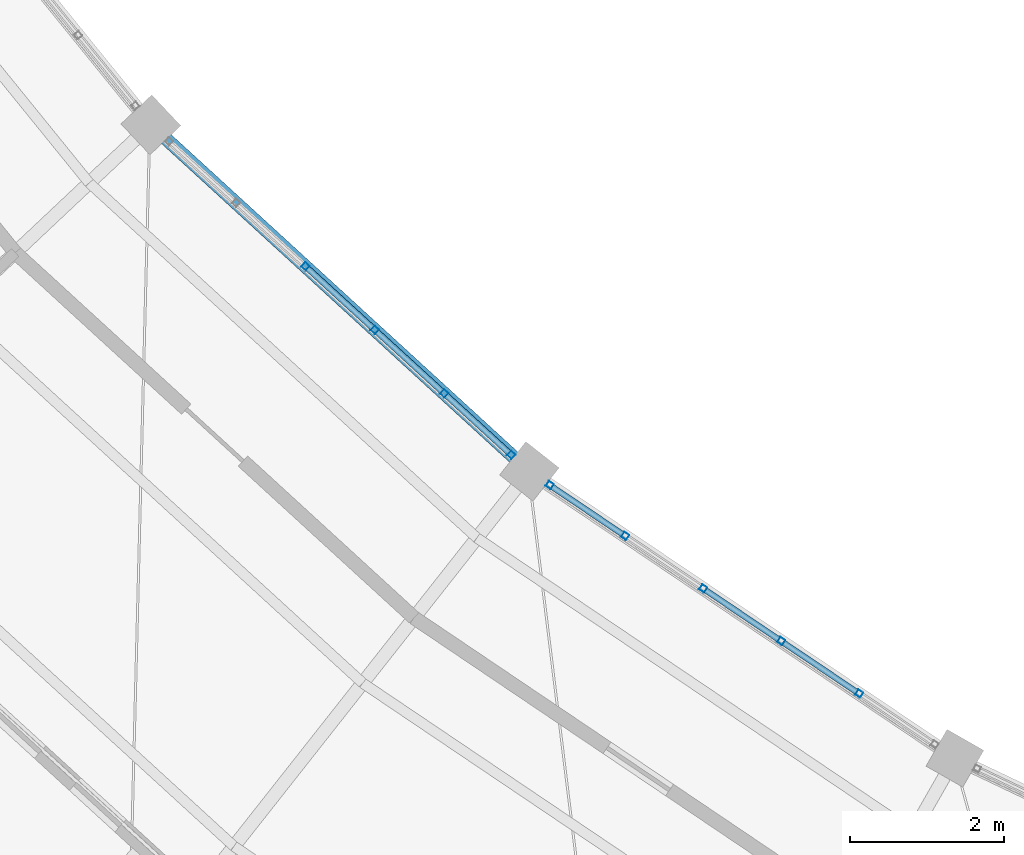
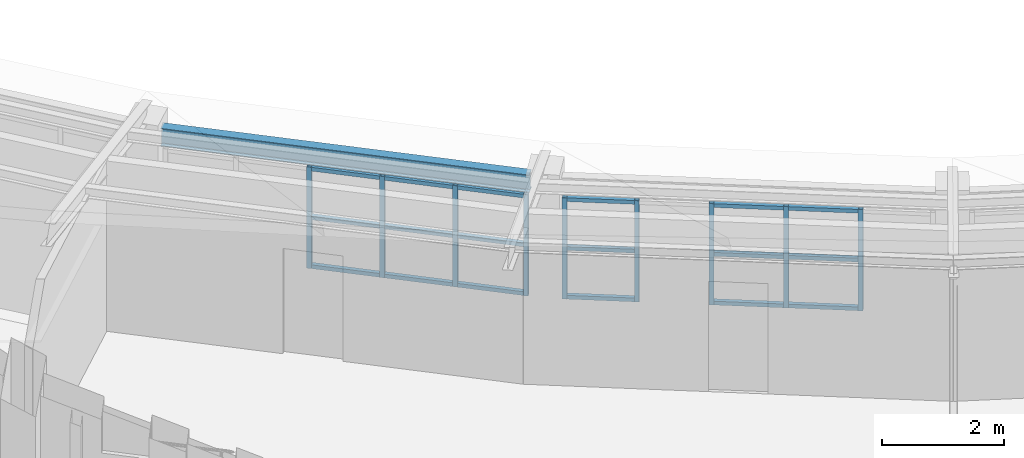
# One storey, part 17 of 149: 27 members, 1 beam, 2 elements without a shape of their own.
"""IFC4 building model written with IfcOpenShell, lengths in metres."""

import ifcopenshell
import ifcopenshell.guid

model = None  # the IFC model being written
_history = None  # IfcOwnerHistory: only IFC2X3 demands one
_inside = {}  # id of a spatial element -> (the spatial element, [elements in it])
_under = {}  # id of a project, library or spatial element -> (it, [spatial elements below it])
_declared = {}  # id of a project -> (the project, [libraries it declares])
_typed = {}  # id of a type object -> (the type object, [elements of that type])
_made_of = {}  # id of a material, layer set ... -> (it, [elements and type objects made of it])


def new_model(schema):
    """Start an empty IFC model of exactly this schema.

    Asked for "IFC4X3", IfcOpenShell would pick the latest addendum, in which some entities
    have other attributes; the version numbers below select the first issue.
    IFC2X3 requires an IfcOwnerHistory on every rooted entity: one is made here for all.
    """
    global model, _history
    if schema == "IFC4X3":
        model = ifcopenshell.file(schema_version=(4, 3, 0, 0))
    else:
        model = ifcopenshell.file(schema=schema)
    _inside.clear()
    _under.clear()
    _declared.clear()
    _typed.clear()
    _made_of.clear()
    _history = None
    if model.schema == "IFC2X3":
        org = make("IfcOrganization", Name="unknown")
        user = make(
            "IfcPersonAndOrganization",
            ThePerson=make("IfcPerson", FamilyName="unknown"),
            TheOrganization=org,
        )
        app = make(
            "IfcApplication",
            ApplicationDeveloper=org,
            Version="unknown",
            ApplicationFullName="unknown",
            ApplicationIdentifier="unknown",
        )
        _history = make(
            "IfcOwnerHistory",
            OwningUser=user,
            OwningApplication=app,
            ChangeAction="ADDED",
            CreationDate=0,
        )
    return model


def make(cls, **values):
    """One entity of the class cls with the attributes given. An attribute that is None is left unset."""
    return model.create_entity(
        cls, **{name: value for name, value in values.items() if value is not None}
    )


def rooted(cls, **values):
    """An entity with a GlobalId (a new one), such as an element, a storey or a relation."""
    return make(cls, GlobalId=ifcopenshell.guid.new(), OwnerHistory=_history, **values)


def si_unit(unit_type, name, prefix=None):
    """IfcSIUnit, for example si_unit("LENGTHUNIT", "METRE", prefix="MILLI")."""
    return make("IfcSIUnit", UnitType=unit_type, Prefix=prefix, Name=name)


def assignment(units):
    """IfcUnitAssignment: the units of a project."""
    return None if units is None else make("IfcUnitAssignment", Units=units)


def point(xyz):
    """IfcCartesianPoint."""
    return None if xyz is None else make("IfcCartesianPoint", Coordinates=xyz)


def direction(xyz):
    """IfcDirection."""
    return None if xyz is None else make("IfcDirection", DirectionRatios=xyz)


def frame(location, z_axis=None, x_axis=None):
    """IfcAxis2Placement3D, a coordinate frame: its origin and axes. An axis left out is left unset."""
    return make(
        "IfcAxis2Placement3D",
        Location=point(location),
        Axis=direction(z_axis),
        RefDirection=direction(x_axis),
    )


def frame_2d(location, x_axis=None):
    """IfcAxis2Placement2D, a coordinate frame in the plane: its origin and x axis."""
    return make(
        "IfcAxis2Placement2D", Location=point(location), RefDirection=direction(x_axis)
    )


def origin():
    """The frame at (0, 0, 0) with its axes left unset."""
    return frame((0.0, 0.0, 0.0))


def origin_2d():
    """The frame at (0, 0) in the plane with its x axis left unset."""
    return frame_2d((0.0, 0.0))


def place(relative_to, where):
    """IfcLocalPlacement: puts the frame where relative to a parent placement (None: the world)."""
    return make(
        "IfcLocalPlacement", PlacementRelTo=relative_to, RelativePlacement=where
    )


def context(
    kind, dimensions, precision=None, world=None, true_north=None, identifier=None
):
    """IfcGeometricRepresentationContext, for example the 3D "Model" context."""
    return make(
        "IfcGeometricRepresentationContext",
        ContextIdentifier=identifier,
        ContextType=kind,
        CoordinateSpaceDimension=dimensions,
        Precision=precision,
        WorldCoordinateSystem=world,
        TrueNorth=true_north,
    )


def subcontext(parent, identifier, kind, view, scale=None):
    """IfcGeometricRepresentationSubContext, for example "Body" below "Model"."""
    return make(
        "IfcGeometricRepresentationSubContext",
        ContextIdentifier=identifier,
        ContextType=kind,
        ParentContext=parent,
        TargetScale=scale,
        TargetView=view,
    )


def project(units=None, contexts=None):
    """IfcProject with its units and contexts."""
    return rooted(
        "IfcProject",
        Name="project",
        RepresentationContexts=contexts,
        UnitsInContext=assignment(units),
    )


def spatial(cls, under=None, at=None, **own):
    """A site, building, storey or space (cls), placed at a placement, below another one or the project."""
    s = rooted(cls, ObjectPlacement=at, **own)
    if under is not None:
        _under.setdefault(under.id(), (under, []))[1].append(s)
    return s


def profile(cls, at=None, kind="AREA", **sizes):
    """A parametric profile (cls). Its sizes go by their IFC names, for example OverallWidth=200.0."""
    return make(cls, ProfileType=kind, Position=at, **sizes)


def hollow_rectangle(**sizes):
    """IfcRectangleHollowProfileDef."""
    return profile("IfcRectangleHollowProfileDef", **sizes)


def i_section(**sizes):
    """IfcIShapeProfileDef."""
    return profile("IfcIShapeProfileDef", **sizes)


def extrude(swept, where, along, depth):
    """IfcExtrudedAreaSolid: the profile swept, set in the frame where, extruded along a direction by depth."""
    return make(
        "IfcExtrudedAreaSolid",
        SweptArea=swept,
        Position=where,
        ExtrudedDirection=direction(along),
        Depth=depth,
    )


def shape(context_of_items, identifier, shape_type, items):
    """IfcShapeRepresentation: the items that make up one representation, for example the "Body"."""
    return make(
        "IfcShapeRepresentation",
        ContextOfItems=context_of_items,
        RepresentationIdentifier=identifier,
        RepresentationType=shape_type,
        Items=items,
    )


def material(Name=None, Category=None):
    """IfcMaterial."""
    return make("IfcMaterial", Name=Name, Category=Category)


def material_profile(
    of_material, cross_section, Name=None, Category=None, Priority=None
):
    """IfcMaterialProfile: a cross section and its material."""
    return make(
        "IfcMaterialProfile",
        Name=Name,
        Material=of_material,
        Profile=cross_section,
        Priority=Priority,
        Category=Category,
    )


def profile_set(profiles, Name=None, composite=None):
    """IfcMaterialProfileSet."""
    return make(
        "IfcMaterialProfileSet",
        Name=Name,
        MaterialProfiles=profiles,
        CompositeProfile=composite,
    )


def made_of(thing, what):
    """Note that an element or type object is made of a material, layer set ...; save() writes the relation."""
    if what is not None:
        _made_of.setdefault(what.id(), (what, []))[1].append(thing)
    return thing


def type_object(cls, material=None, **own):
    """A type object (cls), such as IfcWallType, which elements share."""
    return made_of(rooted(cls, **own), material)


def element(
    cls,
    number,
    at=None,
    inside=None,
    cuts=None,
    type_object=None,
    material=None,
    context=None,
    identifier="Body",
    shape_type=None,
    held_by="IfcProductDefinitionShape",
    body=None,
    shapes=None,
    **own,
):
    """One element of the class cls, such as IfcWall. Its Tag is "e" and its number.

    at: its placement. inside: the storey or other place that contains it. cuts: it is an
    opening in that element (IfcRelVoidsElement). A single representation is given by context,
    identifier, shape_type and body (its items); several are given by shapes. held_by: the class
    of the entity that holds the representations. save() writes the other relations.
    """
    e = rooted(cls, Tag="e%d" % number, ObjectPlacement=at, **own)
    if body is not None:
        shapes = [shape(context, identifier, shape_type, body)]
    if shapes is not None:
        e.Representation = make(held_by, Representations=shapes)
    if inside is not None:
        _inside.setdefault(inside.id(), (inside, []))[1].append(e)
    if cuts is not None:
        rooted(
            "IfcRelVoidsElement", RelatingBuildingElement=cuts, RelatedOpeningElement=e
        )
    if type_object is not None:
        _typed.setdefault(type_object.id(), (type_object, []))[1].append(e)
    return made_of(e, material)


def aggregate(whole, parts):
    """IfcRelAggregates: a whole, such as a stair, and the parts it consists of."""
    return rooted("IfcRelAggregates", RelatingObject=whole, RelatedObjects=parts)


def save(model, path):
    """Write the relations noted so far, then the file.

    IfcRelAggregates (storeys below a building ...), IfcRelContainedInSpatialStructure (elements
    in a storey), IfcRelDefinesByType, IfcRelAssociatesMaterial and IfcRelDeclares: one each for
    every whole, place, type object, material and project.
    """
    for whole, parts in _under.values():
        aggregate(whole, parts)
    for where, things in _inside.values():
        rooted(
            "IfcRelContainedInSpatialStructure",
            RelatedElements=things,
            RelatingStructure=where,
        )
    for kind, things in _typed.values():
        rooted("IfcRelDefinesByType", RelatedObjects=things, RelatingType=kind)
    for what, things in _made_of.values():
        rooted("IfcRelAssociatesMaterial", RelatedObjects=things, RelatingMaterial=what)
    for by, libraries in _declared.values():
        rooted("IfcRelDeclares", RelatingContext=by, RelatedDefinitions=libraries)
    model.write(path)


model = new_model("IFC4")

# Units and contexts
model_context = context("Model", 3, precision=1e-05, world=origin(), true_north=direction((0.0, 1.0)))
body_context = subcontext(model_context, "Body", "Model", "MODEL_VIEW")
ifc_project = project(units=[si_unit("LENGTHUNIT", "METRE"), si_unit("AREAUNIT", "SQUARE_METRE"), si_unit("VOLUMEUNIT", "CUBIC_METRE"), si_unit("PLANEANGLEUNIT", "RADIAN"), si_unit("MASSUNIT", "GRAM", prefix="KILO")], contexts=[model_context])

# Site, building, storey
site_placement = place(None, origin())
site = spatial("IfcSite", under=ifc_project, at=site_placement, CompositionType="ELEMENT")
building_placement = place(site_placement, origin())
building = spatial("IfcBuilding", under=site, at=building_placement, Name="Celadon Cloister-Ring School", CompositionType="ELEMENT")
storey_placement = place(building_placement, frame((0.0, 0.0, 12.5)))
storey = spatial("IfcBuildingStorey", under=building, at=storey_placement, Name="L03", CompositionType="ELEMENT", Elevation=12.5)

# Curtain wall, members
ifc_material_1 = material(Name="Aluminium EN AW-6063 T6", Category="aluminium")
curtain_wall_type = type_object("IfcCurtainWallType", Name="CW-02", PredefinedType="USERDEFINED", material=ifc_material_1)
curtain_wall_1_placement = place(storey_placement, origin())
curtain_wall_1 = element("IfcCurtainWall", 1, at=curtain_wall_1_placement, inside=storey, type_object=curtain_wall_type, Name="Curtain Wall 0056", ObjectType="CURTAIN WALL", PredefinedType="USERDEFINED")
ifc_material_2 = material(Name="Aluminium EN AW-6063 T6", Category="aluminium")
ifc_material_profile_1 = material_profile(ifc_material_2, hollow_rectangle(XDim=0.080078125, YDim=0.080078125, WallThickness=0.00390625, at=origin_2d()), Name="RHS80X80X4")
ifc_profile_set_1 = profile_set([ifc_material_profile_1], Name="Aluminium EN AW-6063 T6")
member_type_1 = type_object("IfcMemberType", Name="CM-03", PredefinedType="MULLION", material=ifc_profile_set_1)
member_1_placement = place(storey_placement, frame((56.242919921875, 26.315673828125, 0.0), z_axis=(0.0, 0.0, 1.0), x_axis=(0.675405823267, 0.737446251531, 0.0)))
member_1 = element("IfcMember", 2, at=member_1_placement, type_object=member_type_1, Name="CW-02 mullion 3", PredefinedType="MULLION", context=body_context, shape_type="SweptSolid", body=[
    extrude(hollow_rectangle(XDim=0.080078125, YDim=0.080078125, WallThickness=0.00390625, at=origin_2d()), origin(), (0.0, 0.0, 1.0), 2.02001953125),
])
member_2_placement = place(storey_placement, frame((57.14404296875, 25.490478515625, 0.0), z_axis=(0.0, 0.0, 1.0), x_axis=(0.675405823267, 0.737446251531, 0.0)))
member_2 = element("IfcMember", 3, at=member_2_placement, type_object=member_type_1, Name="CW-02 mullion 4", PredefinedType="MULLION", context=body_context, shape_type="SweptSolid", body=[
    extrude(hollow_rectangle(XDim=0.080078125, YDim=0.080078125, WallThickness=0.00390625, at=origin_2d()), origin(), (0.0, 0.0, 1.0), 2.02001953125),
])
member_3_placement = place(storey_placement, frame((58.044921875, 24.665283203125, 0.0), z_axis=(0.0, 0.0, 1.0), x_axis=(0.675405823267, 0.737446251531, 0.0)))
member_3 = element("IfcMember", 4, at=member_3_placement, type_object=member_type_1, Name="CW-02 mullion 5", PredefinedType="MULLION", context=body_context, shape_type="SweptSolid", body=[
    extrude(hollow_rectangle(XDim=0.080078125, YDim=0.080078125, WallThickness=0.00390625, at=origin_2d()), origin(), (0.0, 0.0, 1.0), 2.02001953125),
])
member_4_placement = place(storey_placement, frame((58.91650390625, 23.866943359375, 0.0), z_axis=(0.0, 0.0, 1.0), x_axis=(0.675405823267, 0.737446251531, 0.0)))
member_4 = element("IfcMember", 5, at=member_4_placement, type_object=member_type_1, Name="CW-02 mullion 6", PredefinedType="MULLION", context=body_context, shape_type="SweptSolid", body=[
    extrude(hollow_rectangle(XDim=0.080078125, YDim=0.080078125, WallThickness=0.00390625, at=origin_2d()), origin(), (0.0, 0.0, 1.0), 2.02001953125),
])

curtain_wall_2_placement = place(storey_placement, origin())
curtain_wall_2 = element("IfcCurtainWall", 6, at=curtain_wall_2_placement, inside=storey, type_object=curtain_wall_type, Name="Curtain Wall 0057", ObjectType="CURTAIN WALL", PredefinedType="USERDEFINED")
member_5_placement = place(storey_placement, frame((59.416259765625, 23.4736328125, 0.0), z_axis=(0.0, 0.0, 1.0), x_axis=(0.558848567753, 0.829269725916, 0.0)))
member_5 = element("IfcMember", 7, at=member_5_placement, type_object=member_type_1, Name="CW-02 mullion 1", PredefinedType="MULLION", context=body_context, shape_type="SweptSolid", body=[
    extrude(hollow_rectangle(XDim=0.080078125, YDim=0.080078125, WallThickness=0.00390625, at=origin_2d()), origin(), (0.0, 0.0, 1.0), 2.02001953125),
])
member_6_placement = place(storey_placement, frame((60.396240234375, 22.813232421875, 0.0), z_axis=(0.0, 0.0, 1.0), x_axis=(0.558848567753, 0.829269725916, 0.0)))
member_6 = element("IfcMember", 8, at=member_6_placement, type_object=member_type_1, Name="CW-02 mullion 2", PredefinedType="MULLION", context=body_context, shape_type="SweptSolid", body=[
    extrude(hollow_rectangle(XDim=0.080078125, YDim=0.080078125, WallThickness=0.00390625, at=origin_2d()), origin(), (0.0, 0.0, 1.0), 2.02001953125),
])
member_7_placement = place(storey_placement, frame((61.409423828125, 22.13037109375, 0.0), z_axis=(0.0, 0.0, 1.0), x_axis=(0.558848567753, 0.829269725916, 0.0)))
member_7 = element("IfcMember", 9, at=member_7_placement, type_object=member_type_1, Name="CW-02 mullion 3", PredefinedType="MULLION", context=body_context, shape_type="SweptSolid", body=[
    extrude(hollow_rectangle(XDim=0.080078125, YDim=0.080078125, WallThickness=0.00390625, at=origin_2d()), origin(), (0.0, 0.0, 1.0), 2.02001953125),
])
member_8_placement = place(storey_placement, frame((62.422607421875, 21.447509765625, 0.0), z_axis=(0.0, 0.0, 1.0), x_axis=(0.558848567753, 0.829269725916, 0.0)))
member_8 = element("IfcMember", 10, at=member_8_placement, type_object=member_type_1, Name="CW-02 mullion 4", PredefinedType="MULLION", context=body_context, shape_type="SweptSolid", body=[
    extrude(hollow_rectangle(XDim=0.080078125, YDim=0.080078125, WallThickness=0.00390625, at=origin_2d()), origin(), (0.0, 0.0, 1.0), 2.02001953125),
])
member_9_placement = place(storey_placement, frame((63.435791015625, 20.764892578125, 0.0), z_axis=(0.0, 0.0, 1.0), x_axis=(0.558848567753, 0.829269725916, 0.0)))
member_9 = element("IfcMember", 11, at=member_9_placement, type_object=member_type_1, Name="CW-02 mullion 5", PredefinedType="MULLION", context=body_context, shape_type="SweptSolid", body=[
    extrude(hollow_rectangle(XDim=0.080078125, YDim=0.080078125, WallThickness=0.00390625, at=origin_2d()), origin(), (0.0, 0.0, 1.0), 2.02001953125),
])

# Member
ifc_material_3 = material(Name="Aluminium EN AW-6063 T6", Category="aluminium")
ifc_material_profile_2 = material_profile(ifc_material_3, hollow_rectangle(XDim=0.074951171875, YDim=0.074951171875, WallThickness=0.00390625, at=origin_2d()), Name="RHS75X75X4")
ifc_profile_set_2 = profile_set([ifc_material_profile_2], Name="Aluminium EN AW-6063 T6")
member_type_2 = type_object("IfcMemberType", Name="CTM-03", PredefinedType="USERDEFINED", material=ifc_profile_set_2)
member_10_placement = place(storey_placement, frame((56.2724609375, 26.28857421875, 0.03759765625), z_axis=(0.737429207639, -0.67542443228, 0.0), x_axis=(0.67542443228, 0.737429207639, 0.0)))
member_10 = element("IfcMember", 12, at=member_10_placement, type_object=member_type_2, Name="CW-02 transom 3.1", ObjectType="TRANSOM", PredefinedType="USERDEFINED", context=body_context, shape_type="SweptSolid", body=[
    extrude(hollow_rectangle(XDim=0.074951171875, YDim=0.074951171875, WallThickness=0.00390625, at=origin_2d()), origin(), (0.0, 0.0, 1.0), 1.141845703125),
])

member_11_placement = place(storey_placement, frame((56.2724609375, 26.28857421875, 1.010009765625), z_axis=(0.737429207639, -0.67542443228, 0.0), x_axis=(0.67542443228, 0.737429207639, 0.0)))
member_11 = element("IfcMember", 13, at=member_11_placement, type_object=member_type_2, Name="CW-02 transom 3.2", ObjectType="TRANSOM", PredefinedType="USERDEFINED", context=body_context, shape_type="SweptSolid", body=[
    extrude(hollow_rectangle(XDim=0.074951171875, YDim=0.074951171875, WallThickness=0.00390625, at=origin_2d()), origin(), (0.0, 0.0, 1.0), 1.141845703125),
])

member_12_placement = place(storey_placement, frame((56.2724609375, 26.28857421875, 1.982421875), z_axis=(0.737429207639, -0.67542443228, 0.0), x_axis=(0.67542443228, 0.737429207639, 0.0)))
member_12 = element("IfcMember", 14, at=member_12_placement, type_object=member_type_2, Name="CW-02 transom 3.3", ObjectType="TRANSOM", PredefinedType="USERDEFINED", context=body_context, shape_type="SweptSolid", body=[
    extrude(hollow_rectangle(XDim=0.074951171875, YDim=0.074951171875, WallThickness=0.00390625, at=origin_2d()), origin(), (0.0, 0.0, 1.0), 1.141845703125),
])

member_13_placement = place(storey_placement, frame((57.173583984375, 25.46337890625, 0.03759765625), z_axis=(0.737331645034, -0.675530935807, 0.0), x_axis=(0.675530935807, 0.737331645034, 0.0)))
member_13 = element("IfcMember", 15, at=member_13_placement, type_object=member_type_2, Name="CW-02 transom 4.1", ObjectType="TRANSOM", PredefinedType="USERDEFINED", context=body_context, shape_type="SweptSolid", body=[
    extrude(hollow_rectangle(XDim=0.074951171875, YDim=0.074951171875, WallThickness=0.00390625, at=origin_2d()), origin(), (0.0, 0.0, 1.0), 1.1416015625),
])

member_14_placement = place(storey_placement, frame((57.173583984375, 25.46337890625, 1.010009765625), z_axis=(0.737331645034, -0.675530935807, 0.0), x_axis=(0.675530935807, 0.737331645034, 0.0)))
member_14 = element("IfcMember", 16, at=member_14_placement, type_object=member_type_2, Name="CW-02 transom 4.2", ObjectType="TRANSOM", PredefinedType="USERDEFINED", context=body_context, shape_type="SweptSolid", body=[
    extrude(hollow_rectangle(XDim=0.074951171875, YDim=0.074951171875, WallThickness=0.00390625, at=origin_2d()), origin(), (0.0, 0.0, 1.0), 1.1416015625),
])

member_15_placement = place(storey_placement, frame((57.173583984375, 25.46337890625, 1.982421875), z_axis=(0.737331645034, -0.675530935807, 0.0), x_axis=(0.675530935807, 0.737331645034, 0.0)))
member_15 = element("IfcMember", 17, at=member_15_placement, type_object=member_type_2, Name="CW-02 transom 4.3", ObjectType="TRANSOM", PredefinedType="USERDEFINED", context=body_context, shape_type="SweptSolid", body=[
    extrude(hollow_rectangle(XDim=0.074951171875, YDim=0.074951171875, WallThickness=0.00390625, at=origin_2d()), origin(), (0.0, 0.0, 1.0), 1.1416015625),
])

member_16_placement = place(storey_placement, frame((58.074462890625, 24.63818359375, 0.03759765625), z_axis=(0.737448407441, -0.675403469315, 0.0), x_axis=(0.675403469315, 0.737448407441, 0.0)))
member_16 = element("IfcMember", 18, at=member_16_placement, type_object=member_type_2, Name="CW-02 transom 5.1", ObjectType="TRANSOM", PredefinedType="USERDEFINED", context=body_context, shape_type="SweptSolid", body=[
    extrude(hollow_rectangle(XDim=0.074951171875, YDim=0.074951171875, WallThickness=0.00390625, at=origin_2d()), origin(), (0.0, 0.0, 1.0), 1.101806640625),
])

member_17_placement = place(storey_placement, frame((58.074462890625, 24.63818359375, 1.010009765625), z_axis=(0.737448407441, -0.675403469315, 0.0), x_axis=(0.675403469315, 0.737448407441, 0.0)))
member_17 = element("IfcMember", 19, at=member_17_placement, type_object=member_type_2, Name="CW-02 transom 5.2", ObjectType="TRANSOM", PredefinedType="USERDEFINED", context=body_context, shape_type="SweptSolid", body=[
    extrude(hollow_rectangle(XDim=0.074951171875, YDim=0.074951171875, WallThickness=0.00390625, at=origin_2d()), origin(), (0.0, 0.0, 1.0), 1.101806640625),
])

member_18_placement = place(storey_placement, frame((58.074462890625, 24.63818359375, 1.982421875), z_axis=(0.737448407441, -0.675403469315, 0.0), x_axis=(0.675403469315, 0.737448407441, 0.0)))
member_18 = element("IfcMember", 20, at=member_18_placement, type_object=member_type_2, Name="CW-02 transom 5.3", ObjectType="TRANSOM", PredefinedType="USERDEFINED", context=body_context, shape_type="SweptSolid", body=[
    extrude(hollow_rectangle(XDim=0.074951171875, YDim=0.074951171875, WallThickness=0.00390625, at=origin_2d()), origin(), (0.0, 0.0, 1.0), 1.101806640625),
])

aggregate(curtain_wall_1, [member_1, member_2, member_3, member_4, member_10, member_11, member_12, member_13, member_14, member_15, member_16, member_17, member_18])

member_19_placement = place(storey_placement, frame((59.449462890625, 23.451171875, 0.03759765625), z_axis=(0.829244100833, -0.558886590673, 0.0), x_axis=(0.558886590673, 0.829244100833, 0.0)))
member_19 = element("IfcMember", 21, at=member_19_placement, type_object=member_type_2, Name="CW-02 transom 1.1", ObjectType="TRANSOM", PredefinedType="USERDEFINED", context=body_context, shape_type="SweptSolid", body=[
    extrude(hollow_rectangle(XDim=0.074951171875, YDim=0.074951171875, WallThickness=0.00390625, at=origin_2d()), origin(), (0.0, 0.0, 1.0), 1.101806640625),
])

member_20_placement = place(storey_placement, frame((59.449462890625, 23.451171875, 1.010009765625), z_axis=(0.829244100833, -0.558886590673, 0.0), x_axis=(0.558886590673, 0.829244100833, 0.0)))
member_20 = element("IfcMember", 22, at=member_20_placement, type_object=member_type_2, Name="CW-02 transom 1.2", ObjectType="TRANSOM", PredefinedType="USERDEFINED", context=body_context, shape_type="SweptSolid", body=[
    extrude(hollow_rectangle(XDim=0.074951171875, YDim=0.074951171875, WallThickness=0.00390625, at=origin_2d()), origin(), (0.0, 0.0, 1.0), 1.101806640625),
])

member_21_placement = place(storey_placement, frame((59.449462890625, 23.451171875, 1.982421875), z_axis=(0.829244100833, -0.558886590673, 0.0), x_axis=(0.558886590673, 0.829244100833, 0.0)))
member_21 = element("IfcMember", 23, at=member_21_placement, type_object=member_type_2, Name="CW-02 transom 1.3", ObjectType="TRANSOM", PredefinedType="USERDEFINED", context=body_context, shape_type="SweptSolid", body=[
    extrude(hollow_rectangle(XDim=0.074951171875, YDim=0.074951171875, WallThickness=0.00390625, at=origin_2d()), origin(), (0.0, 0.0, 1.0), 1.101806640625),
])

member_22_placement = place(storey_placement, frame((61.442626953125, 22.108154296875, 0.03759765625), z_axis=(0.829210413566, -0.558936570671, 0.0), x_axis=(0.558936570671, 0.829210413566, 0.0)))
member_22 = element("IfcMember", 24, at=member_22_placement, type_object=member_type_2, Name="CW-02 transom 3.1", ObjectType="TRANSOM", PredefinedType="USERDEFINED", context=body_context, shape_type="SweptSolid", body=[
    extrude(hollow_rectangle(XDim=0.074951171875, YDim=0.074951171875, WallThickness=0.00390625, at=origin_2d()), origin(), (0.0, 0.0, 1.0), 1.141845703125),
])

member_23_placement = place(storey_placement, frame((61.442626953125, 22.108154296875, 1.010009765625), z_axis=(0.829210413566, -0.558936570671, 0.0), x_axis=(0.558936570671, 0.829210413566, 0.0)))
member_23 = element("IfcMember", 25, at=member_23_placement, type_object=member_type_2, Name="CW-02 transom 3.2", ObjectType="TRANSOM", PredefinedType="USERDEFINED", context=body_context, shape_type="SweptSolid", body=[
    extrude(hollow_rectangle(XDim=0.074951171875, YDim=0.074951171875, WallThickness=0.00390625, at=origin_2d()), origin(), (0.0, 0.0, 1.0), 1.141845703125),
])

member_24_placement = place(storey_placement, frame((61.442626953125, 22.108154296875, 1.982421875), z_axis=(0.829210413566, -0.558936570671, 0.0), x_axis=(0.558936570671, 0.829210413566, 0.0)))
member_24 = element("IfcMember", 26, at=member_24_placement, type_object=member_type_2, Name="CW-02 transom 3.3", ObjectType="TRANSOM", PredefinedType="USERDEFINED", context=body_context, shape_type="SweptSolid", body=[
    extrude(hollow_rectangle(XDim=0.074951171875, YDim=0.074951171875, WallThickness=0.00390625, at=origin_2d()), origin(), (0.0, 0.0, 1.0), 1.141845703125),
])

member_25_placement = place(storey_placement, frame((62.455810546875, 21.42529296875, 0.03759765625), z_axis=(0.829210413566, -0.558936570671, 0.0), x_axis=(0.558936570671, 0.829210413566, 0.0)))
member_25 = element("IfcMember", 27, at=member_25_placement, type_object=member_type_2, Name="CW-02 transom 4.1", ObjectType="TRANSOM", PredefinedType="USERDEFINED", context=body_context, shape_type="SweptSolid", body=[
    extrude(hollow_rectangle(XDim=0.074951171875, YDim=0.074951171875, WallThickness=0.00390625, at=origin_2d()), origin(), (0.0, 0.0, 1.0), 1.141845703125),
])

member_26_placement = place(storey_placement, frame((62.455810546875, 21.42529296875, 1.010009765625), z_axis=(0.829210413566, -0.558936570671, 0.0), x_axis=(0.558936570671, 0.829210413566, 0.0)))
member_26 = element("IfcMember", 28, at=member_26_placement, type_object=member_type_2, Name="CW-02 transom 4.2", ObjectType="TRANSOM", PredefinedType="USERDEFINED", context=body_context, shape_type="SweptSolid", body=[
    extrude(hollow_rectangle(XDim=0.074951171875, YDim=0.074951171875, WallThickness=0.00390625, at=origin_2d()), origin(), (0.0, 0.0, 1.0), 1.141845703125),
])

member_27_placement = place(storey_placement, frame((62.455810546875, 21.42529296875, 1.982421875), z_axis=(0.829210413566, -0.558936570671, 0.0), x_axis=(0.558936570671, 0.829210413566, 0.0)))
member_27 = element("IfcMember", 29, at=member_27_placement, type_object=member_type_2, Name="CW-02 transom 4.3", ObjectType="TRANSOM", PredefinedType="USERDEFINED", context=body_context, shape_type="SweptSolid", body=[
    extrude(hollow_rectangle(XDim=0.074951171875, YDim=0.074951171875, WallThickness=0.00390625, at=origin_2d()), origin(), (0.0, 0.0, 1.0), 1.141845703125),
])

aggregate(curtain_wall_2, [member_5, member_6, member_7, member_8, member_9, member_19, member_20, member_21, member_22, member_23, member_24, member_25, member_26, member_27])

# Beam
ifc_material_4 = material(Name="Structural steel S355JR", Category="steel")
ifc_material_profile_3 = material_profile(ifc_material_4, i_section(OverallWidth=0.1708984375, OverallDepth=0.35498046875, WebThickness=0.007080078125, FlangeThickness=0.01171875, at=origin_2d()), Name="W360X51")
ifc_profile_set_3 = profile_set([ifc_material_profile_3], Name="Structural steel S355JR")
beam_type = type_object("IfcBeamType", Name="GT-08", PredefinedType="USERDEFINED", material=ifc_profile_set_3)
beam_placement = place(storey_placement, frame((54.4189453125, 27.985107421875, 2.27197265625), z_axis=(0.737632141612, -0.675202801875, 0.0), x_axis=(0.675202801875, 0.737632141612, 0.0)))
element("IfcBeam", 30, at=beam_placement, inside=storey, type_object=beam_type, Name="Beam 0549", ObjectType="GIRDER", PredefinedType="USERDEFINED", context=body_context, shape_type="SweptSolid", body=[
    extrude(i_section(OverallWidth=0.1708984375, OverallDepth=0.35498046875, WebThickness=0.007080078125, FlangeThickness=0.01171875, at=origin_2d()), origin(), (0.0, 0.0, 1.0), 6.167236328125),
])

save(model, "model.ifc")
